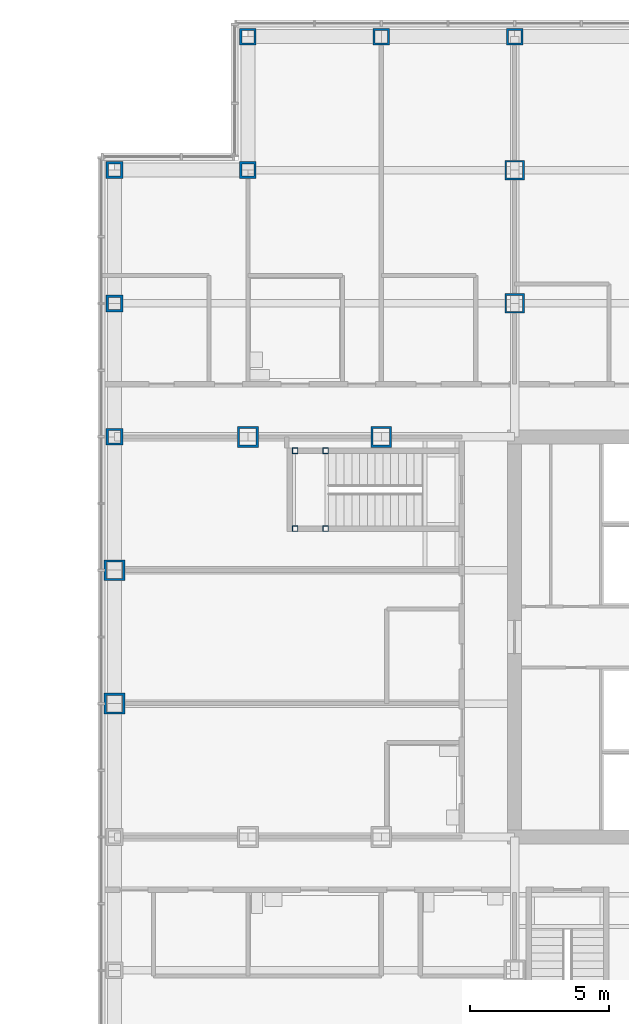
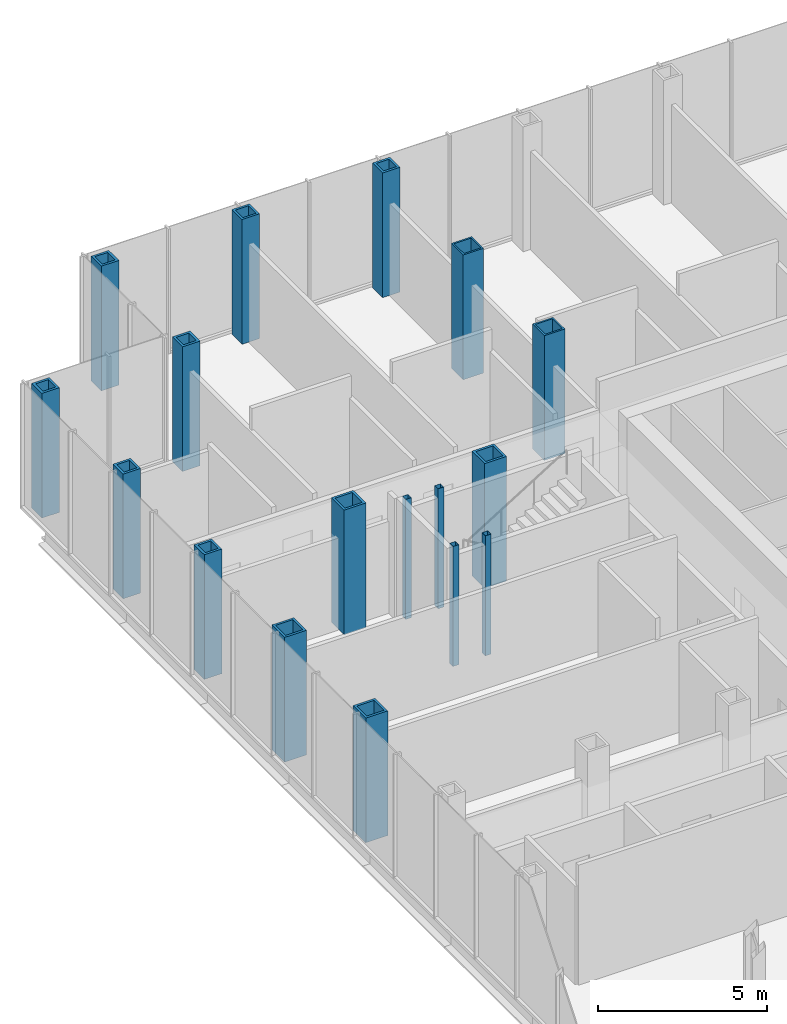
# One storey, part 7 of 26: 17 columns.
"""IFC4 building model written with IfcOpenShell, lengths in metres."""

from ifc_helpers import new_model, si_unit, direction, frame, origin, origin_2d, place, context, subcontext, project, spatial, hollow_rectangle, extrude, material, material_profile, profile_set, type_object, element, save


model = new_model("IFC4")

# Units and contexts
model_context = context("Model", 3, precision=1e-05, world=origin(), true_north=direction((0.0, 1.0)))
body_context = subcontext(model_context, "Body", "Model", "MODEL_VIEW")
ifc_project = project(units=[si_unit("LENGTHUNIT", "METRE"), si_unit("AREAUNIT", "SQUARE_METRE"), si_unit("VOLUMEUNIT", "CUBIC_METRE"), si_unit("PLANEANGLEUNIT", "RADIAN"), si_unit("MASSUNIT", "GRAM", prefix="KILO")], contexts=[model_context])

# Site, building, storey
site_placement = place(None, origin())
site = spatial("IfcSite", under=ifc_project, at=site_placement, CompositionType="ELEMENT")
building_placement = place(site_placement, origin())
building = spatial("IfcBuilding", under=site, at=building_placement, Name="Kvirike Care Tower", CompositionType="ELEMENT")
storey_placement = place(building_placement, frame((0.0, 0.0, 18.0)))
storey = spatial("IfcBuildingStorey", under=building, at=storey_placement, Name="L04", CompositionType="ELEMENT", Elevation=18.0)

# Columns
ifc_material_1 = material(Name="Steel S460", Category="steel")
ifc_material_profile_1 = material_profile(ifc_material_1, hollow_rectangle(XDim=0.60009765625, YDim=0.60009765625, WallThickness=0.080078125, at=origin_2d()), Name="BX 600x600x80")
ifc_profile_set_1 = profile_set([ifc_material_profile_1], Name="Steel S460")
column_type_1 = type_object("IfcColumnType", Name="COLUMN BX 600x600x80", PredefinedType="COLUMN", material=ifc_profile_set_1)
for number, where, z_axis, x_axis, name in (
    (1, (0.0, 43.199951171875, 0.0), (0.0, 0.0, 1.0), (0.0, 1.0, 0.0), "Column K3 L04"),
    (2, (0.0, 48.0, 0.0), (0.0, 0.0, 1.0), (1.0, 0.0, 0.0), "Column L3 L04"),
    (3, (0.0, 52.800048828125, 0.0), (0.0, 0.0, 1.0), (0.0, 1.0, 0.0), "Column M3 L04"),
    (4, (4.800048828125, 52.800048828125, 0.0), (0.0, 0.0, 1.0), (0.0, 1.0, 0.0), "Column M4 L04"),
    (5, (4.800048828125, 57.60009765625, 0.0), (0.0, 0.0, 1.0), (0.0, 1.0, 0.0), "Column N4 L04"),
    (6, (9.60009765625, 57.60009765625, 0.0), (0.0, 0.0, 1.0), (0.0, 1.0, 0.0), "Column N5 L04"),
    (7, (14.39990234375, 57.60009765625, 0.0), (0.0, 0.0, 1.0), (0.0, 1.0, 0.0), "Column N6 L04"),
):
    element("IfcColumn", number, at=place(storey_placement, frame(where, z_axis=z_axis, x_axis=x_axis)), inside=storey, type_object=column_type_1, Name=name, PredefinedType="COLUMN", context=body_context, shape_type="SweptSolid", body=[
        extrude(hollow_rectangle(XDim=0.60009765625, YDim=0.60009765625, WallThickness=0.080078125, at=origin_2d()), origin(), (0.0, 0.0, 1.0), 4.5),
    ])
ifc_material_2 = material(Name="Steel S460", Category="steel")
ifc_material_profile_2 = material_profile(ifc_material_2, hollow_rectangle(XDim=0.699951171875, YDim=0.699951171875, WallThickness=0.06005859375, at=origin_2d()), Name="BX 700x700x60")
ifc_profile_set_2 = profile_set([ifc_material_profile_2], Name="Steel S460")
column_type_2 = type_object("IfcColumnType", Name="COLUMN BX 700x700x60", PredefinedType="COLUMN", material=ifc_profile_set_2)
for number, where, z_axis, x_axis, name in (
    (8, (14.39990234375, 48.0, 0.0), (0.0, 0.0, 1.0), (1.0, 0.0, 0.0), "Column L6 L04"),
    (9, (14.39990234375, 52.800048828125, 0.0), (0.0, 0.0, 1.0), (1.0, 0.0, 0.0), "Column M6 L04"),
):
    element("IfcColumn", number, at=place(storey_placement, frame(where, z_axis=z_axis, x_axis=x_axis)), inside=storey, type_object=column_type_2, Name=name, PredefinedType="COLUMN", context=body_context, shape_type="SweptSolid", body=[
        extrude(hollow_rectangle(XDim=0.699951171875, YDim=0.699951171875, WallThickness=0.06005859375, at=origin_2d()), origin(), (0.0, 0.0, 1.0), 4.5),
    ])
ifc_material_3 = material(Name="Steel S460", Category="steel")
ifc_material_profile_3 = material_profile(ifc_material_3, hollow_rectangle(XDim=0.75, YDim=0.75, WallThickness=0.080078125, at=origin_2d()), Name="BX 750x750x80")
ifc_profile_set_3 = profile_set([ifc_material_profile_3], Name="Steel S460")
column_type_3 = type_object("IfcColumnType", Name="COLUMN BX 750x750x80", PredefinedType="COLUMN", material=ifc_profile_set_3)
for number, where, z_axis, x_axis, name in (
    (10, (0.0, 33.60009765625, 0.0), (0.0, 0.0, 1.0), (1.0, 0.0, 0.0), "Column H3 L04"),
    (11, (0.0, 38.39990234375, 0.0), (0.0, 0.0, 1.0), (1.0, 0.0, 0.0), "Column J3 L04"),
    (12, (4.800048828125, 43.199951171875, 0.0), (0.0, 0.0, 1.0), (0.0, 1.0, 0.0), "Column K4 L04"),
    (13, (9.60009765625, 43.199951171875, 0.0), (0.0, 0.0, 1.0), (0.0, 1.0, 0.0), "Column K5 L04"),
):
    element("IfcColumn", number, at=place(storey_placement, frame(where, z_axis=z_axis, x_axis=x_axis)), inside=storey, type_object=column_type_3, Name=name, PredefinedType="COLUMN", context=body_context, shape_type="SweptSolid", body=[
        extrude(hollow_rectangle(XDim=0.75, YDim=0.75, WallThickness=0.080078125, at=origin_2d()), origin(), (0.0, 0.0, 1.0), 4.5),
    ])
ifc_material_4 = material(Name="Steel S460", Category="steel")
ifc_material_profile_4 = material_profile(ifc_material_4, hollow_rectangle(XDim=0.199951171875, YDim=0.199951171875, WallThickness=0.008056640625, at=origin_2d()), Name="SHS 200x200x8")
ifc_profile_set_4 = profile_set([ifc_material_profile_4], Name="Steel S460")
column_type_4 = type_object("IfcColumnType", Name="STAIR POST SHS 200x200x8", PredefinedType="COLUMN", material=ifc_profile_set_4)
for number, where, z_axis, x_axis, name in (
    (14, (6.5, 42.699951171875, 0.0), (0.0, 0.0, 1.0), (1.0, 0.0, 0.0), "Stair 1 post 1 L04"),
    (15, (6.5, 39.89990234375, 0.0), (0.0, 0.0, 1.0), (1.0, 0.0, 0.0), "Stair 1 post 2 L04"),
    (16, (7.60009765625, 42.699951171875, 0.0), (0.0, 0.0, 1.0), (1.0, 0.0, 0.0), "Stair 1 post 3 L04"),
    (17, (7.60009765625, 39.89990234375, 0.0), (0.0, 0.0, 1.0), (1.0, 0.0, 0.0), "Stair 1 post 4 L04"),
):
    element("IfcColumn", number, at=place(storey_placement, frame(where, z_axis=z_axis, x_axis=x_axis)), inside=storey, type_object=column_type_4, Name=name, PredefinedType="COLUMN", context=body_context, shape_type="SweptSolid", body=[
        extrude(hollow_rectangle(XDim=0.199951171875, YDim=0.199951171875, WallThickness=0.008056640625, at=origin_2d()), origin(), (0.0, 0.0, 1.0), 4.330078125),
    ])

save(model, "model.ifc")
